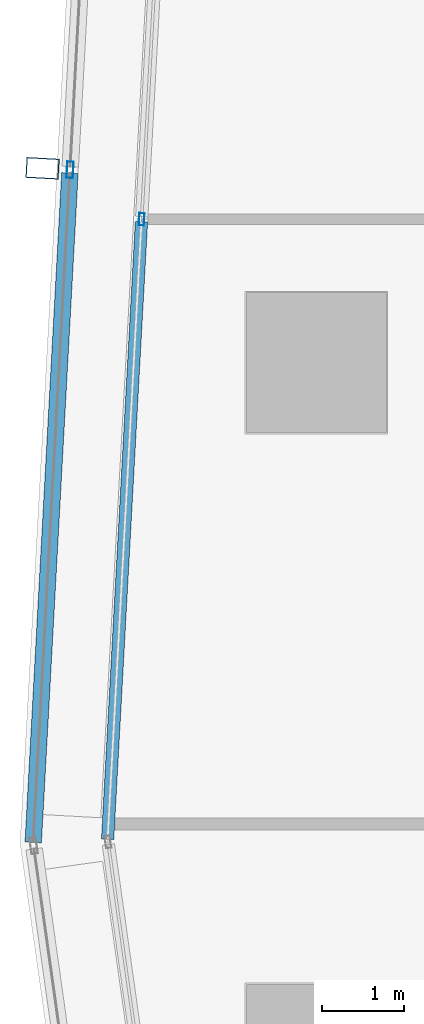
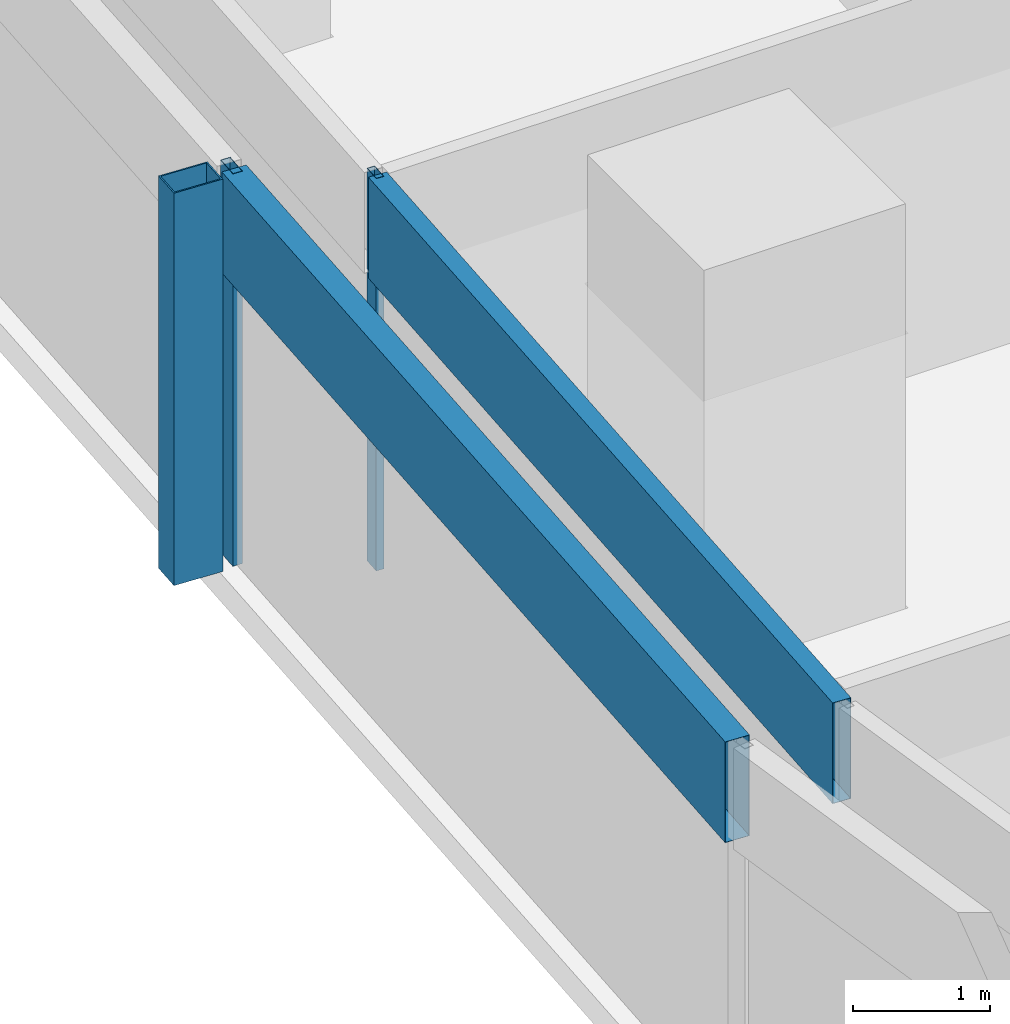
# One storey, part 7 of 40: 5 members, 2 elements without a shape of their own.
"""IFC4 building model written with IfcOpenShell, lengths in metres."""

import ifcopenshell
import ifcopenshell.guid

model = None  # the IFC model being written
_history = None  # IfcOwnerHistory: only IFC2X3 demands one
_inside = {}  # id of a spatial element -> (the spatial element, [elements in it])
_under = {}  # id of a project, library or spatial element -> (it, [spatial elements below it])
_declared = {}  # id of a project -> (the project, [libraries it declares])
_typed = {}  # id of a type object -> (the type object, [elements of that type])
_made_of = {}  # id of a material, layer set ... -> (it, [elements and type objects made of it])


def new_model(schema):
    """Start an empty IFC model of exactly this schema.

    Asked for "IFC4X3", IfcOpenShell would pick the latest addendum, in which some entities
    have other attributes; the version numbers below select the first issue.
    IFC2X3 requires an IfcOwnerHistory on every rooted entity: one is made here for all.
    """
    global model, _history
    if schema == "IFC4X3":
        model = ifcopenshell.file(schema_version=(4, 3, 0, 0))
    else:
        model = ifcopenshell.file(schema=schema)
    _inside.clear()
    _under.clear()
    _declared.clear()
    _typed.clear()
    _made_of.clear()
    _history = None
    if model.schema == "IFC2X3":
        org = make("IfcOrganization", Name="unknown")
        user = make(
            "IfcPersonAndOrganization",
            ThePerson=make("IfcPerson", FamilyName="unknown"),
            TheOrganization=org,
        )
        app = make(
            "IfcApplication",
            ApplicationDeveloper=org,
            Version="unknown",
            ApplicationFullName="unknown",
            ApplicationIdentifier="unknown",
        )
        _history = make(
            "IfcOwnerHistory",
            OwningUser=user,
            OwningApplication=app,
            ChangeAction="ADDED",
            CreationDate=0,
        )
    return model


def make(cls, **values):
    """One entity of the class cls with the attributes given. An attribute that is None is left unset."""
    return model.create_entity(
        cls, **{name: value for name, value in values.items() if value is not None}
    )


def rooted(cls, **values):
    """An entity with a GlobalId (a new one), such as an element, a storey or a relation."""
    return make(cls, GlobalId=ifcopenshell.guid.new(), OwnerHistory=_history, **values)


def si_unit(unit_type, name, prefix=None):
    """IfcSIUnit, for example si_unit("LENGTHUNIT", "METRE", prefix="MILLI")."""
    return make("IfcSIUnit", UnitType=unit_type, Prefix=prefix, Name=name)


def assignment(units):
    """IfcUnitAssignment: the units of a project."""
    return None if units is None else make("IfcUnitAssignment", Units=units)


def point(xyz):
    """IfcCartesianPoint."""
    return None if xyz is None else make("IfcCartesianPoint", Coordinates=xyz)


def direction(xyz):
    """IfcDirection."""
    return None if xyz is None else make("IfcDirection", DirectionRatios=xyz)


def frame(location, z_axis=None, x_axis=None):
    """IfcAxis2Placement3D, a coordinate frame: its origin and axes. An axis left out is left unset."""
    return make(
        "IfcAxis2Placement3D",
        Location=point(location),
        Axis=direction(z_axis),
        RefDirection=direction(x_axis),
    )


def frame_2d(location, x_axis=None):
    """IfcAxis2Placement2D, a coordinate frame in the plane: its origin and x axis."""
    return make(
        "IfcAxis2Placement2D", Location=point(location), RefDirection=direction(x_axis)
    )


def origin():
    """The frame at (0, 0, 0) with its axes left unset."""
    return frame((0.0, 0.0, 0.0))


def origin_2d():
    """The frame at (0, 0) in the plane with its x axis left unset."""
    return frame_2d((0.0, 0.0))


def place(relative_to, where):
    """IfcLocalPlacement: puts the frame where relative to a parent placement (None: the world)."""
    return make(
        "IfcLocalPlacement", PlacementRelTo=relative_to, RelativePlacement=where
    )


def context(
    kind, dimensions, precision=None, world=None, true_north=None, identifier=None
):
    """IfcGeometricRepresentationContext, for example the 3D "Model" context."""
    return make(
        "IfcGeometricRepresentationContext",
        ContextIdentifier=identifier,
        ContextType=kind,
        CoordinateSpaceDimension=dimensions,
        Precision=precision,
        WorldCoordinateSystem=world,
        TrueNorth=true_north,
    )


def subcontext(parent, identifier, kind, view, scale=None):
    """IfcGeometricRepresentationSubContext, for example "Body" below "Model"."""
    return make(
        "IfcGeometricRepresentationSubContext",
        ContextIdentifier=identifier,
        ContextType=kind,
        ParentContext=parent,
        TargetScale=scale,
        TargetView=view,
    )


def project(units=None, contexts=None):
    """IfcProject with its units and contexts."""
    return rooted(
        "IfcProject",
        Name="project",
        RepresentationContexts=contexts,
        UnitsInContext=assignment(units),
    )


def spatial(cls, under=None, at=None, **own):
    """A site, building, storey or space (cls), placed at a placement, below another one or the project."""
    s = rooted(cls, ObjectPlacement=at, **own)
    if under is not None:
        _under.setdefault(under.id(), (under, []))[1].append(s)
    return s


def profile(cls, at=None, kind="AREA", **sizes):
    """A parametric profile (cls). Its sizes go by their IFC names, for example OverallWidth=200.0."""
    return make(cls, ProfileType=kind, Position=at, **sizes)


def hollow_rectangle(**sizes):
    """IfcRectangleHollowProfileDef."""
    return profile("IfcRectangleHollowProfileDef", **sizes)


def extrude(swept, where, along, depth):
    """IfcExtrudedAreaSolid: the profile swept, set in the frame where, extruded along a direction by depth."""
    return make(
        "IfcExtrudedAreaSolid",
        SweptArea=swept,
        Position=where,
        ExtrudedDirection=direction(along),
        Depth=depth,
    )


def shape(context_of_items, identifier, shape_type, items):
    """IfcShapeRepresentation: the items that make up one representation, for example the "Body"."""
    return make(
        "IfcShapeRepresentation",
        ContextOfItems=context_of_items,
        RepresentationIdentifier=identifier,
        RepresentationType=shape_type,
        Items=items,
    )


def material(Name=None, Category=None):
    """IfcMaterial."""
    return make("IfcMaterial", Name=Name, Category=Category)


def material_profile(
    of_material, cross_section, Name=None, Category=None, Priority=None
):
    """IfcMaterialProfile: a cross section and its material."""
    return make(
        "IfcMaterialProfile",
        Name=Name,
        Material=of_material,
        Profile=cross_section,
        Priority=Priority,
        Category=Category,
    )


def profile_set(profiles, Name=None, composite=None):
    """IfcMaterialProfileSet."""
    return make(
        "IfcMaterialProfileSet",
        Name=Name,
        MaterialProfiles=profiles,
        CompositeProfile=composite,
    )


def made_of(thing, what):
    """Note that an element or type object is made of a material, layer set ...; save() writes the relation."""
    if what is not None:
        _made_of.setdefault(what.id(), (what, []))[1].append(thing)
    return thing


def type_object(cls, material=None, **own):
    """A type object (cls), such as IfcWallType, which elements share."""
    return made_of(rooted(cls, **own), material)


def element(
    cls,
    number,
    at=None,
    inside=None,
    cuts=None,
    type_object=None,
    material=None,
    context=None,
    identifier="Body",
    shape_type=None,
    held_by="IfcProductDefinitionShape",
    body=None,
    shapes=None,
    **own,
):
    """One element of the class cls, such as IfcWall. Its Tag is "e" and its number.

    at: its placement. inside: the storey or other place that contains it. cuts: it is an
    opening in that element (IfcRelVoidsElement). A single representation is given by context,
    identifier, shape_type and body (its items); several are given by shapes. held_by: the class
    of the entity that holds the representations. save() writes the other relations.
    """
    e = rooted(cls, Tag="e%d" % number, ObjectPlacement=at, **own)
    if body is not None:
        shapes = [shape(context, identifier, shape_type, body)]
    if shapes is not None:
        e.Representation = make(held_by, Representations=shapes)
    if inside is not None:
        _inside.setdefault(inside.id(), (inside, []))[1].append(e)
    if cuts is not None:
        rooted(
            "IfcRelVoidsElement", RelatingBuildingElement=cuts, RelatedOpeningElement=e
        )
    if type_object is not None:
        _typed.setdefault(type_object.id(), (type_object, []))[1].append(e)
    return made_of(e, material)


def aggregate(whole, parts):
    """IfcRelAggregates: a whole, such as a stair, and the parts it consists of."""
    return rooted("IfcRelAggregates", RelatingObject=whole, RelatedObjects=parts)


def save(model, path):
    """Write the relations noted so far, then the file.

    IfcRelAggregates (storeys below a building ...), IfcRelContainedInSpatialStructure (elements
    in a storey), IfcRelDefinesByType, IfcRelAssociatesMaterial and IfcRelDeclares: one each for
    every whole, place, type object, material and project.
    """
    for whole, parts in _under.values():
        aggregate(whole, parts)
    for where, things in _inside.values():
        rooted(
            "IfcRelContainedInSpatialStructure",
            RelatedElements=things,
            RelatingStructure=where,
        )
    for kind, things in _typed.values():
        rooted("IfcRelDefinesByType", RelatedObjects=things, RelatingType=kind)
    for what, things in _made_of.values():
        rooted("IfcRelAssociatesMaterial", RelatedObjects=things, RelatingMaterial=what)
    for by, libraries in _declared.values():
        rooted("IfcRelDeclares", RelatingContext=by, RelatedDefinitions=libraries)
    model.write(path)


model = new_model("IFC4")

# Units and contexts
model_context = context("Model", 3, precision=1e-05, world=origin(), true_north=direction((0.0, 1.0)))
body_context = subcontext(model_context, "Body", "Model", "MODEL_VIEW")
ifc_project = project(units=[si_unit("LENGTHUNIT", "METRE"), si_unit("AREAUNIT", "SQUARE_METRE"), si_unit("VOLUMEUNIT", "CUBIC_METRE"), si_unit("PLANEANGLEUNIT", "RADIAN"), si_unit("MASSUNIT", "GRAM", prefix="KILO")], contexts=[model_context])

# Site, building, storey
site_placement = place(None, origin())
site = spatial("IfcSite", under=ifc_project, at=site_placement, CompositionType="ELEMENT")
building_placement = place(site_placement, origin())
building = spatial("IfcBuilding", under=site, at=building_placement, Name="Rekha Terrace Tower", CompositionType="ELEMENT")
storey_placement = place(building_placement, frame((0.0, 0.0, 99.050048828125)))
storey = spatial("IfcBuildingStorey", under=building, at=storey_placement, Name="L24", CompositionType="ELEMENT", Elevation=99.050048828125)

# Curtain wall, member
ifc_material_1 = material(Name="Aluminium framing", Category="aluminium")
curtain_wall_type_1 = type_object("IfcCurtainWallType", Name="CW2 double skin outer glazing", PredefinedType="USERDEFINED", material=ifc_material_1)
curtain_wall_1_placement = place(storey_placement, origin())
curtain_wall_1 = element("IfcCurtainWall", 1, at=curtain_wall_1_placement, inside=storey, type_object=curtain_wall_type_1, Name="CW2 double skin outer glazing", ObjectType="DOUBLE SKIN OUTER GLAZING", PredefinedType="USERDEFINED")
ifc_material_2 = material(Name="Steel S355 with fluorocarbon finish", Category="steel")
ifc_material_profile_1 = material_profile(ifc_material_2, hollow_rectangle(XDim=0.25, YDim=0.39990234375, WallThickness=0.012451171875, at=origin_2d()), Name="RHS400x250x12.5")
ifc_profile_set_1 = profile_set([ifc_material_profile_1], Name="Steel S355 with fluorocarbon finish")
member_type_1 = type_object("IfcMemberType", Name="BL1 facade blade RHS 400 x 250", PredefinedType="USERDEFINED", material=ifc_profile_set_1)
member_1_placement = place(storey_placement, frame((5.073974609375, 35.9609375, 0.0), z_axis=(0.0, 0.0, 1.0), x_axis=(-0.054742798353, -0.998500488747, 0.0)))
member_1 = element("IfcMember", 2, at=member_1_placement, type_object=member_type_1, Name="Facade blade", ObjectType="FACADE BLADE", PredefinedType="USERDEFINED", context=body_context, shape_type="SweptSolid", body=[
    extrude(hollow_rectangle(XDim=0.25, YDim=0.39990234375, WallThickness=0.012451171875, at=origin_2d()), origin(), (0.0, 0.0, 1.0), 3.5),
])

# Curtain wall, members
curtain_wall_type_2 = type_object("IfcCurtainWallType", Name="CW1 double skin inner glazing", PredefinedType="USERDEFINED", material=ifc_material_1)
curtain_wall_2_placement = place(storey_placement, origin())
curtain_wall_2 = element("IfcCurtainWall", 3, at=curtain_wall_2_placement, inside=storey, type_object=curtain_wall_type_2, Name="CW1 double skin inner glazing", ObjectType="DOUBLE SKIN INNER GLAZING", PredefinedType="USERDEFINED")
ifc_material_3 = material(Name="Aluminium mullion section", Category="aluminium")
ifc_material_profile_2 = material_profile(ifc_material_3, hollow_rectangle(XDim=0.06494140625, YDim=0.14990234375, WallThickness=0.00390625, at=origin_2d()), Name="AL RHS 65x150")
ifc_profile_set_2 = profile_set([ifc_material_profile_2], Name="Aluminium mullion section")
member_type_2 = type_object("IfcMemberType", Name="CW1 mullion RHS 65 x 150", PredefinedType="MULLION", material=ifc_profile_set_2)
member_2_placement = place(storey_placement, frame((6.27685546875, 35.343017578125, 0.0), z_axis=(0.0, 0.0, 1.0), x_axis=(0.99850051318, -0.054742352707, 0.0)))
member_2 = element("IfcMember", 4, at=member_2_placement, type_object=member_type_2, Name="CW1 mullion 4", PredefinedType="MULLION", context=body_context, shape_type="SweptSolid", body=[
    extrude(hollow_rectangle(XDim=0.06494140625, YDim=0.14990234375, WallThickness=0.00390625, at=origin_2d()), origin(), (0.0, 0.0, 1.0), 3.5),
])
ifc_material_4 = material(Name="Insulated aluminium spandrel box", Category="aluminium")
ifc_material_profile_3 = material_profile(ifc_material_4, hollow_rectangle(XDim=0.14990234375, YDim=0.89990234375, WallThickness=0.0029296875, at=origin_2d()), Name="AL SPANDREL BOX 150x900")
ifc_profile_set_3 = profile_set([ifc_material_profile_3], Name="Insulated aluminium spandrel box")
member_type_3 = type_object("IfcMemberType", Name="CW1 spandrel transom 150 x 900", PredefinedType="USERDEFINED", material=ifc_profile_set_3)
member_3_placement = place(storey_placement, frame((6.275146484375, 35.310546875, 3.050048828125), z_axis=(-0.054756855706, -0.998499717953, 0.0), x_axis=(0.998499717953, -0.054756855706, 0.0)))
member_3 = element("IfcMember", 5, at=member_3_placement, type_object=member_type_3, Name="CW1 spandrel transom 4", ObjectType="TRANSOM", PredefinedType="USERDEFINED", context=body_context, shape_type="SweptSolid", body=[
    extrude(hollow_rectangle(XDim=0.14990234375, YDim=0.89990234375, WallThickness=0.0029296875, at=origin_2d()), origin(), (0.0, 0.0, 1.0), 7.50830078125),
])
aggregate(curtain_wall_2, [member_2, member_3])

# Member
ifc_material_profile_4 = material_profile(ifc_material_3, hollow_rectangle(XDim=0.080078125, YDim=0.199951171875, WallThickness=0.00390625, at=origin_2d()), Name="AL RHS 80x200")
ifc_profile_set_4 = profile_set([ifc_material_profile_4], Name="Aluminium mullion section")
member_type_4 = type_object("IfcMemberType", Name="CW2 mullion RHS 80 x 200", PredefinedType="MULLION", material=ifc_profile_set_4)
member_4_placement = place(storey_placement, frame((5.408447265625, 35.942626953125, 0.0), z_axis=(0.0, 0.0, 1.0), x_axis=(0.99850051318, -0.054742352707, 0.0)))
member_4 = element("IfcMember", 6, at=member_4_placement, type_object=member_type_4, Name="CW2 mullion 4", PredefinedType="MULLION", context=body_context, shape_type="SweptSolid", body=[
    extrude(hollow_rectangle(XDim=0.080078125, YDim=0.199951171875, WallThickness=0.00390625, at=origin_2d()), origin(), (0.0, 0.0, 1.0), 3.5),
])

ifc_material_profile_5 = material_profile(ifc_material_4, hollow_rectangle(XDim=0.199951171875, YDim=0.89990234375, WallThickness=0.0029296875, at=origin_2d()), Name="AL SPANDREL BOX 200x900")
ifc_profile_set_5 = profile_set([ifc_material_profile_5], Name="Insulated aluminium spandrel box")
member_type_5 = type_object("IfcMemberType", Name="CW2 spandrel transom 200 x 900", PredefinedType="USERDEFINED", material=ifc_profile_set_5)
member_5_placement = place(storey_placement, frame((5.40625, 35.902587890625, 3.050048828125), z_axis=(-0.054737434401, -0.998500782812, 0.0), x_axis=(0.998500782812, -0.054737434401, 0.0)))
member_5 = element("IfcMember", 7, at=member_5_placement, type_object=member_type_5, Name="CW2 spandrel transom 4", ObjectType="TRANSOM", PredefinedType="USERDEFINED", context=body_context, shape_type="SweptSolid", body=[
    extrude(hollow_rectangle(XDim=0.199951171875, YDim=0.89990234375, WallThickness=0.0029296875, at=origin_2d()), origin(), (0.0, 0.0, 1.0), 8.139892578125),
])

aggregate(curtain_wall_1, [member_4, member_5, member_1])

save(model, "model.ifc")
